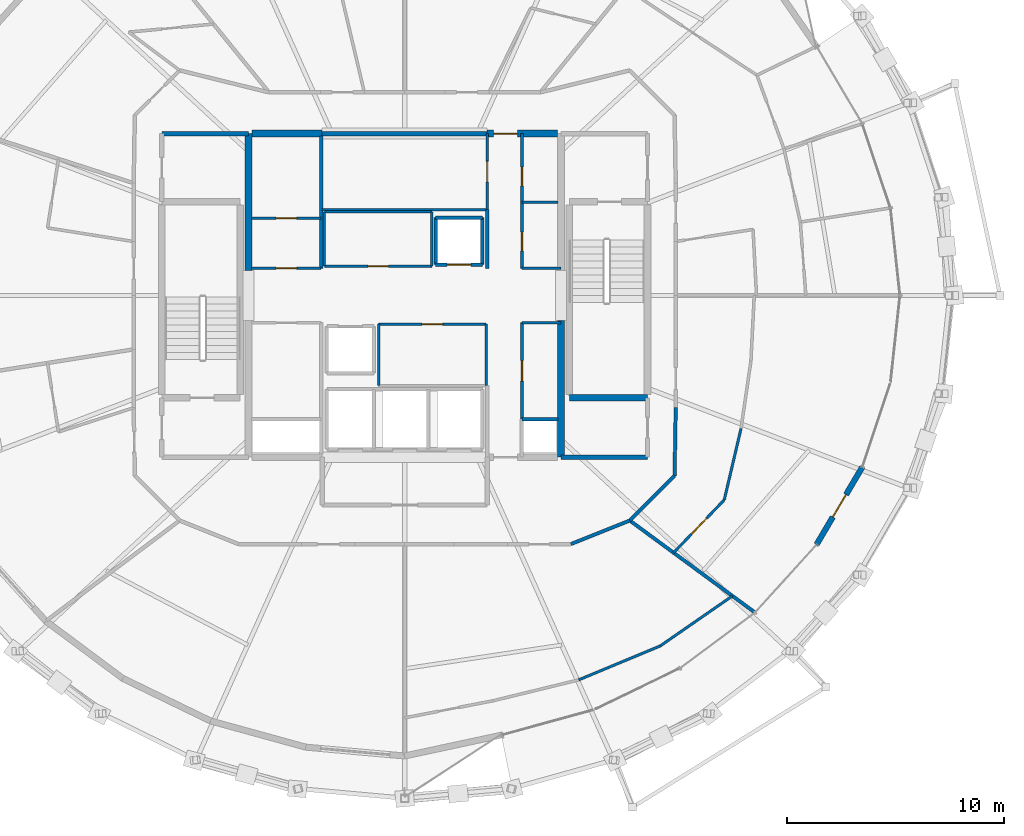
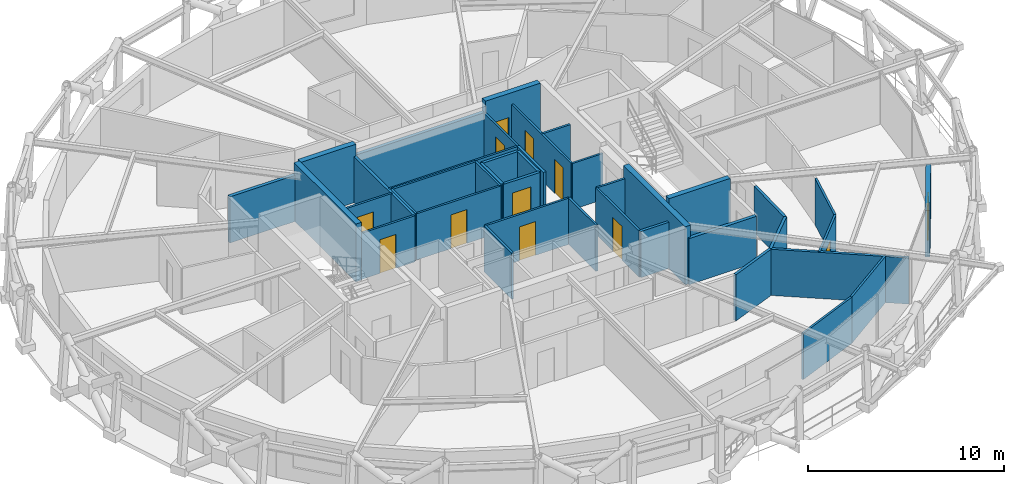
# One storey, part 15 of 18: 40 walls, 12 doors, 12 openings.
"""IFC4 building model written with IfcOpenShell, lengths in metres."""

from ifc_helpers import new_model, si_unit, direction, frame, frame_2d, origin, place, context, subcontext, project, spatial, rectangle, extrude, material, layer, layer_set, type_object, element, fill, save


model = new_model("IFC4")

# Units and contexts
model_context = context("Model", 3, precision=1e-05, world=origin(), true_north=direction((0.0, 1.0)))
body_context = subcontext(model_context, "Body", "Model", "MODEL_VIEW")
ifc_project = project(units=[si_unit("LENGTHUNIT", "METRE"), si_unit("AREAUNIT", "SQUARE_METRE"), si_unit("VOLUMEUNIT", "CUBIC_METRE"), si_unit("PLANEANGLEUNIT", "RADIAN"), si_unit("MASSUNIT", "GRAM", prefix="KILO")], contexts=[model_context])

# Site, building, storey
site_placement = place(None, origin())
site = spatial("IfcSite", under=ifc_project, at=site_placement, CompositionType="ELEMENT")
building_placement = place(site_placement, origin())
building = spatial("IfcBuilding", under=site, at=building_placement, Name="Veldorina Hangang Commons", CompositionType="ELEMENT")
storey_placement = place(building_placement, frame((0.0, 0.0, 218.39990234375)))
storey = spatial("IfcBuildingStorey", under=building, at=storey_placement, Name="L56", CompositionType="ELEMENT", Elevation=218.39990234375)

# Walls
ifc_material_1 = material(Name="Concrete C50/60", Category="concrete")
ifc_layer_1 = layer(ifc_material_1, 0.320068359375)
ifc_layer_set_1 = layer_set([ifc_layer_1], Name="Concrete C50/60")
wall_type_1 = type_object("IfcWallType", Name="CW-RC320-C50", PredefinedType="SHEAR", material=ifc_layer_set_1)
for number, where, z_axis, x_axis, name in (
    (1, (24.800048828125, 25.14990234375, 0.0), (0.0, 0.0, 1.0), (0.0, 1.0, 0.0), "L56 W north core shear wall"),
    (2, (39.199951171875, 16.550048828125, 0.0), (0.0, 0.0, 1.0), (0.0, 1.0, 0.0), "L56 E south core shear wall"),
):
    element("IfcWall", number, at=place(storey_placement, frame(where, z_axis=z_axis, x_axis=x_axis)), inside=storey, type_object=wall_type_1, Name=name, PredefinedType="SHEAR", context=body_context, shape_type="SweptSolid", body=[
        extrude(rectangle(XDim=6.300048828125, YDim=0.320068359375, at=frame_2d((3.14990234375, 0.0))), origin(), (0.0, 0.0, 1.0), 3.60009765625),
    ])
wall_1_placement = place(storey_placement, frame((24.9599609375, 31.449951171875, 0.0), z_axis=(0.0, 0.0, 1.0), x_axis=(1.0, 0.0, 0.0)))
element("IfcWall", 3, at=wall_1_placement, inside=storey, type_object=wall_type_1, Name="L56 north-west core shear wall", PredefinedType="SHEAR", context=body_context, shape_type="SweptSolid", body=[
    extrude(rectangle(XDim=3.239990234375, YDim=0.320068359375, at=frame_2d((1.6201171875, 0.0))), origin(), (0.0, 0.0, 1.0), 3.60009765625),
])

# Wall, opening, door
wall_2_placement = place(storey_placement, frame((35.800048828125, 31.449951171875, 0.0), z_axis=(0.0, 0.0, 1.0), x_axis=(1.0, 0.0, 0.0)))
wall_2 = element("IfcWall", 4, at=wall_2_placement, inside=storey, type_object=wall_type_1, Name="L56 north-east core shear wall", PredefinedType="SHEAR", context=body_context, shape_type="SweptSolid", body=[
    extrude(rectangle(XDim=3.239990234375, YDim=0.320068359375, at=frame_2d((1.6201171875, 0.0))), origin(), (0.0, 0.0, 1.0), 3.60009765625),
])
opening_1_placement = place(wall_2_placement, frame((0.300048828125, 0.0, 0.0)))
opening_1 = element("IfcOpeningElement", 5, at=opening_1_placement, cuts=wall_2, Name="Opening D-08", PredefinedType="OPENING", context=body_context, shape_type="SweptSolid", body=[
    extrude(rectangle(XDim=1.10009765625, YDim=2.10009765625, at=frame_2d((0.550048828125, 1.050048828125))), frame((0.0, 0.169921875, 0.0), z_axis=(0.0, -1.0, 0.0), x_axis=(1.0, 0.0, 0.0)), (0.0, 0.0, 1.0), 0.340087890625),
])
ifc_material_2 = material(Name="Steel Fire-Rated Smoke Seal", Category="steel")
door_type_1 = type_object("IfcDoorType", Name="DR-FIRE-1100", OperationType="SINGLE_SWING_RIGHT", PredefinedType="DOOR", material=ifc_material_2)
door_1_placement = place(opening_1_placement, origin())
door_1 = element("IfcDoor", 6, at=door_1_placement, inside=storey, type_object=door_type_1, Name="L56 central lift lobby north corridor door", OperationType="SINGLE_SWING_LEFT", OverallHeight=2.10009765625, OverallWidth=1.10009765625, PredefinedType="DOOR", context=body_context, shape_type="SweptSolid", body=[
    extrude(rectangle(XDim=1.10009765625, YDim=2.10009765625, at=frame_2d((0.550048828125, 1.050048828125))), frame((0.0, 0.02490234375, 0.0), z_axis=(0.0, -1.0, 0.0), x_axis=(1.0, 0.0, 0.0)), (0.0, 0.0, 1.0), 0.050048828125),
])
fill(opening_1, door_1)

ifc_material_3 = material(Name="Stone Roman Travertine", Category="masonry")
ifc_layer_2 = layer(ifc_material_3, 0.260009765625)
ifc_layer_set_2 = layer_set([ifc_layer_2], Name="Stone Roman Travertine")
wall_type_2 = type_object("IfcWallType", Name="EW-LOGGIA-260", PredefinedType="STANDARD", material=ifc_layer_set_2)
wall_3_placement = place(storey_placement, frame((50.964599609375, 12.529296875, 0.0), z_axis=(0.0, 0.0, 1.0), x_axis=(0.508481273456, 0.861073048321, 0.0)))
wall_3 = element("IfcWall", 7, at=wall_3_placement, inside=storey, type_object=wall_type_2, Name="L56 sky-garden loggia portal wall 29", PredefinedType="STANDARD", context=body_context, shape_type="SweptSolid", body=[
    extrude(rectangle(XDim=4.1455078125, YDim=0.260009765625, at=frame_2d((2.07275390625, 0.0))), origin(), (0.0, 0.0, 1.0), 2.880126953125),
])
opening_2_placement = place(wall_3_placement, frame((1.47265625, 0.0, 0.0)))
opening_2 = element("IfcOpeningElement", 8, at=opening_2_placement, cuts=wall_3, Name="Opening BD-1200", PredefinedType="OPENING", context=body_context, shape_type="SweptSolid", body=[
    extrude(rectangle(XDim=1.199951171875, YDim=2.14990234375, at=frame_2d((0.60009765625, 1.074951171875))), frame((0.0, 0.14013671875, 0.0), z_axis=(0.0, -1.0, 0.0), x_axis=(1.0, 0.0, 0.0)), (0.0, 0.0, 1.0), 0.280029296875),
])
ifc_material_4 = material(Name="Glass Thermal Aluminium Frame", Category="aluminium")
door_type_2 = type_object("IfcDoorType", Name="DR-EXT-LOG1200", OperationType="SINGLE_SWING_LEFT", PredefinedType="DOOR", material=ifc_material_4)
door_2_placement = place(opening_2_placement, origin())
door_2 = element("IfcDoor", 9, at=door_2_placement, inside=storey, type_object=door_type_2, Name="L56 loggia glazed exterior door 29", OperationType="SINGLE_SWING_RIGHT", OverallHeight=2.14990234375, OverallWidth=1.199951171875, PredefinedType="DOOR", context=body_context, shape_type="SweptSolid", body=[
    extrude(rectangle(XDim=1.199951171875, YDim=2.14990234375, at=frame_2d((0.60009765625, 1.074951171875))), frame((0.0, 0.02490234375, 0.0), z_axis=(0.0, -1.0, 0.0), x_axis=(1.0, 0.0, 0.0)), (0.0, 0.0, 1.0), 0.050048828125),
])
fill(opening_2, door_2)

# Walls
ifc_layer_3 = layer(ifc_material_1, 0.300048828125)
ifc_layer_set_3 = layer_set([ifc_layer_3], Name="Concrete C50/60")
wall_type_3 = type_object("IfcWallType", Name="SW-STAIR-300", PredefinedType="SHEAR", material=ifc_layer_set_3)
wall_4_placement = place(storey_placement, frame((39.580078125, 19.280029296875, 0.0), z_axis=(0.0, 0.0, 1.0), x_axis=(1.0, 0.0, 0.0)))
element("IfcWall", 10, at=wall_4_placement, inside=storey, type_object=wall_type_3, Name="L56 ST2 south stair shear wall", PredefinedType="SHEAR", context=body_context, shape_type="SweptSolid", body=[
    extrude(rectangle(XDim=3.599853515625, YDim=0.300048828125, at=frame_2d((1.7998046875, 0.0))), origin(), (0.0, 0.0, 1.0), 3.60009765625),
])
ifc_material_5 = material(Name="Gypsum Fire-Rated Twin Stud Wall", Category="gypsum")
ifc_layer_4 = layer(ifc_material_5, 0.159912109375)
ifc_layer_set_4 = layer_set([ifc_layer_4], Name="Gypsum Fire-Rated Twin Stud Wall")
wall_type_4 = type_object("IfcWallType", Name="WL-FIRE-160", PredefinedType="SOLIDWALL", material=ifc_layer_set_4)
wall_5_placement = place(storey_placement, frame((35.800048828125, 25.25, 0.0), z_axis=(0.0, 0.0, 1.0), x_axis=(0.0, 1.0, 0.0)))
element("IfcWall", 11, at=wall_5_placement, inside=storey, type_object=wall_type_4, Name="L56 Lift passage NW lower wall 011", PredefinedType="SOLIDWALL", context=body_context, shape_type="SweptSolid", body=[
    extrude(rectangle(XDim=2.699951171875, YDim=0.159912109375, at=frame_2d((1.35009765625, 0.0))), origin(), (0.0, 0.0, 1.0), 2.8701171875),
])

# Wall, opening, door
wall_6_placement = place(storey_placement, frame((33.419921875, 25.419921875, 0.0), z_axis=(0.0, 0.0, 1.0), x_axis=(1.0, 0.0, 0.0)))
wall_6 = element("IfcWall", 12, at=wall_6_placement, inside=storey, type_object=wall_type_4, Name="L56 Mid-high front shaft wall 015", PredefinedType="SOLIDWALL", context=body_context, shape_type="SweptSolid", body=[
    extrude(rectangle(XDim=2.16015625, YDim=0.159912109375, at=frame_2d((1.080078125, 0.0))), origin(), (0.0, 0.0, 1.0), 2.8701171875),
])
opening_3_placement = place(wall_6_placement, frame((0.530029296875, 0.0, 0.0)))
opening_3 = element("IfcOpeningElement", 13, at=opening_3_placement, cuts=wall_6, Name="Opening LD-01", PredefinedType="OPENING", context=body_context, shape_type="SweptSolid", body=[
    extrude(rectangle(XDim=1.10009765625, YDim=2.14990234375, at=frame_2d((0.550048828125, 1.074951171875))), frame((0.0, 0.08984375, 0.0), z_axis=(0.0, -1.0, 0.0), x_axis=(1.0, 0.0, 0.0)), (0.0, 0.0, 1.0), 0.179931640625),
])
ifc_material_6 = material(Name="Stainless Steel Brushed Lift Door", Category="steel")
door_type_3 = type_object("IfcDoorType", Name="DR-LIFT-1100", OperationType="SLIDING_TO_LEFT", PredefinedType="DOOR", material=ifc_material_6)
door_3_placement = place(opening_3_placement, origin())
door_3 = element("IfcDoor", 14, at=door_3_placement, inside=storey, type_object=door_type_3, Name="L56 Lift PL-H1 landing door 006", OperationType="SLIDING_TO_RIGHT", OverallHeight=2.14990234375, OverallWidth=1.10009765625, PredefinedType="DOOR", context=body_context, shape_type="SweptSolid", body=[
    extrude(rectangle(XDim=1.10009765625, YDim=2.14990234375, at=frame_2d((0.550048828125, 1.074951171875))), frame((0.0, 0.02490234375, 0.0), z_axis=(0.0, -1.0, 0.0), x_axis=(1.0, 0.0, 0.0)), (0.0, 0.0, 1.0), 0.050048828125),
])
fill(opening_3, door_3)

# Walls
for number, where, z_axis, x_axis, name in (
    (15, (33.419921875, 27.580078125, 0.0), (0.0, 0.0, 1.0), (1.0, 0.0, 0.0), "L56 Mid-high rear shaft wall 016"),
    (16, (33.419921875, 25.419921875, 0.0), (0.0, 0.0, 1.0), (0.0, 1.0, 0.0), "L56 PL-H1 west shaft wall 017"),
    (17, (35.580078125, 25.419921875, 0.0), (0.0, 0.0, 1.0), (0.0, 1.0, 0.0), "L56 PL-H1 east shaft wall 018"),
):
    element("IfcWall", number, at=place(storey_placement, frame(where, z_axis=z_axis, x_axis=x_axis)), inside=storey, type_object=wall_type_4, Name=name, PredefinedType="SOLIDWALL", context=body_context, shape_type="SweptSolid", body=[
        extrude(rectangle(XDim=2.16015625, YDim=0.159912109375, at=frame_2d((1.080078125, 0.0))), origin(), (0.0, 0.0, 1.0), 2.8701171875),
    ])
wall_7_placement = place(storey_placement, frame((37.39990234375, 18.300048828125, 0.0), z_axis=(0.0, 0.0, 1.0), x_axis=(1.0, 0.0, 0.0)))
element("IfcWall", 18, at=wall_7_placement, inside=storey, type_object=wall_type_4, Name="L56 Plumbing riser wall 042", PredefinedType="SOLIDWALL", context=body_context, shape_type="SweptSolid", body=[
    extrude(rectangle(XDim=1.650146484375, YDim=0.159912109375, at=frame_2d((0.8251953125, 0.0))), origin(), (0.0, 0.0, 1.0), 2.8701171875),
])
wall_8_placement = place(storey_placement, frame((28.14990234375, 25.25, 0.0), z_axis=(0.0, 0.0, 1.0), x_axis=(0.0, 1.0, 0.0)))
element("IfcWall", 19, at=wall_8_placement, inside=storey, type_object=wall_type_4, Name="L56 NW core inner wall 043", PredefinedType="SOLIDWALL", context=body_context, shape_type="SweptSolid", body=[
    extrude(rectangle(XDim=6.10009765625, YDim=0.159912109375, at=frame_2d((3.050048828125, 0.0))), origin(), (0.0, 0.0, 1.0), 2.8701171875),
])
wall_9_placement = place(storey_placement, frame((39.650634765625, 12.550048828125, 0.0), z_axis=(0.0, 0.0, 1.0), x_axis=(0.92856882165, 0.371160266542, 0.0)))
element("IfcWall", 20, at=wall_9_placement, inside=storey, type_object=wall_type_4, Name="L56 Compact collar outer wall 27 079", PredefinedType="SOLIDWALL", context=body_context, shape_type="SweptSolid", body=[
    extrude(rectangle(XDim=2.923095703125, YDim=0.159912109375, at=frame_2d((1.46142578125, 0.0))), origin(), (0.0, 0.0, 1.0), 2.8701171875),
])
wall_10_placement = place(storey_placement, frame((42.364990234375, 13.635009765625, 0.0), z_axis=(0.0, 0.0, 1.0), x_axis=(0.707106781187, 0.707106781187, 0.0)))
element("IfcWall", 21, at=wall_10_placement, inside=storey, type_object=wall_type_4, Name="L56 Compact collar outer wall 28 080", PredefinedType="SOLIDWALL", context=body_context, shape_type="SweptSolid", body=[
    extrude(rectangle(XDim=2.915771484375, YDim=0.159912109375, at=frame_2d((1.4580078125, 0.0))), origin(), (0.0, 0.0, 1.0), 2.8701171875),
])
wall_11_placement = place(storey_placement, frame((44.4267578125, 15.69677734375, 0.0), z_axis=(0.0, 0.0, 1.0), x_axis=(0.016981035134, 0.999855811828, 0.0)))
element("IfcWall", 22, at=wall_11_placement, inside=storey, type_object=wall_type_4, Name="L56 Compact collar outer wall 29 081", PredefinedType="SOLIDWALL", context=body_context, shape_type="SweptSolid", body=[
    extrude(rectangle(XDim=3.13427734375, YDim=0.159912109375, at=frame_2d((1.567138671875, 0.0))), origin(), (0.0, 0.0, 1.0), 2.8701171875),
])
wall_12_placement = place(storey_placement, frame((42.364990234375, 13.635009765625, 0.0), z_axis=(0.0, 0.0, 1.0), x_axis=(0.805864739579, -0.592099671933, 0.0)))
element("IfcWall", 23, at=wall_12_placement, inside=storey, type_object=wall_type_4, Name="L56 Unit party wall 28 084", PredefinedType="SOLIDWALL", context=body_context, shape_type="SweptSolid", body=[
    extrude(rectangle(XDim=7.1015625, YDim=0.159912109375, at=frame_2d((3.55078125, 0.0))), origin(), (0.0, 0.0, 1.0), 2.8701171875),
])
ifc_material_7 = material(Name="Concrete Blockwork Fire Wall C30/37", Category="masonry")
ifc_layer_5 = layer(ifc_material_7, 0.199951171875)
ifc_layer_set_5 = layer_set([ifc_layer_5], Name="Concrete Blockwork Fire Wall C30/37")
wall_type_5 = type_object("IfcWallType", Name="WL-FIRE-200", PredefinedType="SOLIDWALL", material=ifc_layer_set_5)
for number, where, z_axis, x_axis, name in (
    (24, (20.820068359375, 31.449951171875, 0.0), (0.0, 0.0, 1.0), (1.0, 0.0, 0.0), "L56 NW core room north wall 006"),
    (25, (39.199951171875, 16.550048828125, 0.0), (0.0, 0.0, 1.0), (1.0, 0.0, 0.0), "L56 SE core room south wall 008"),
):
    element("IfcWall", number, at=place(storey_placement, frame(where, z_axis=z_axis, x_axis=x_axis)), inside=storey, type_object=wall_type_5, Name=name, PredefinedType="SOLIDWALL", context=body_context, shape_type="SweptSolid", body=[
        extrude(rectangle(XDim=3.97998046875, YDim=0.199951171875, at=frame_2d((1.989990234375, 0.0))), origin(), (0.0, 0.0, 1.0), 2.8701171875),
    ])
wall_13_placement = place(storey_placement, frame((28.199951171875, 31.449951171875, 0.0), z_axis=(0.0, 0.0, 1.0), x_axis=(1.0, 0.0, 0.0)))
element("IfcWall", 26, at=wall_13_placement, inside=storey, type_object=wall_type_5, Name="L56 Merged north core wall 029", PredefinedType="SOLIDWALL", context=body_context, shape_type="SweptSolid", body=[
    extrude(rectangle(XDim=7.60009765625, YDim=0.199951171875, at=frame_2d((3.800048828125, 0.0))), origin(), (0.0, 0.0, 1.0), 2.8701171875),
])
ifc_material_8 = material(Name="Gypsum Acoustic Stud Partition", Category="gypsum")
ifc_layer_6 = layer(ifc_material_8, 0.1201171875)
ifc_layer_set_6 = layer_set([ifc_layer_6], Name="Gypsum Acoustic Stud Partition")
wall_type_6 = type_object("IfcWallType", Name="WL-PART-120", PredefinedType="PARTITIONING", material=ifc_layer_set_6)
wall_14_placement = place(storey_placement, frame((28.199951171875, 27.949951171875, 0.0), z_axis=(0.0, 0.0, 1.0), x_axis=(1.0, 0.0, 0.0)))
element("IfcWall", 27, at=wall_14_placement, inside=storey, type_object=wall_type_6, Name="L56 Merged north south wall 030", PredefinedType="PARTITIONING", context=body_context, shape_type="SweptSolid", body=[
    extrude(rectangle(XDim=7.60009765625, YDim=0.1201171875, at=frame_2d((3.800048828125, 0.0))), origin(), (0.0, 0.0, 1.0), 2.8701171875),
])

# Wall, opening, door
wall_15_placement = place(storey_placement, frame((35.800048828125, 27.949951171875, 0.0), z_axis=(0.0, 0.0, 1.0), x_axis=(0.0, 1.0, 0.0)))
wall_15 = element("IfcWall", 28, at=wall_15_placement, inside=storey, type_object=wall_type_6, Name="L56 Merged north east wall 031", PredefinedType="PARTITIONING", context=body_context, shape_type="SweptSolid", body=[
    extrude(rectangle(XDim=3.5, YDim=0.1201171875, at=frame_2d((1.75, 0.0))), origin(), (0.0, 0.0, 1.0), 2.8701171875),
])
opening_4_placement = place(wall_15_placement, frame((1.27490234375, 0.0, 0.0)))
opening_4 = element("IfcOpeningElement", 29, at=opening_4_placement, cuts=wall_15, Name="Opening D-02", PredefinedType="OPENING", context=body_context, shape_type="SweptSolid", body=[
    extrude(rectangle(XDim=0.949951171875, YDim=2.10009765625, at=frame_2d((0.47509765625, 1.050048828125))), frame((0.0, 0.070068359375, 0.0), z_axis=(0.0, -1.0, 0.0), x_axis=(1.0, 0.0, 0.0)), (0.0, 0.0, 1.0), 0.14013671875),
])
ifc_material_9 = material(Name="Timber Solid Core Acoustic", Category="wood")
door_type_4 = type_object("IfcDoorType", Name="DR-INT-950", OperationType="SINGLE_SWING_LEFT", PredefinedType="DOOR", material=ifc_material_9)
door_4_placement = place(opening_4_placement, origin())
door_4 = element("IfcDoor", 30, at=door_4_placement, inside=storey, type_object=door_type_4, Name="L56 Merged north room lobby door 011", OperationType="SINGLE_SWING_LEFT", OverallHeight=2.10009765625, OverallWidth=0.949951171875, PredefinedType="DOOR", context=body_context, shape_type="SweptSolid", body=[
    extrude(rectangle(XDim=0.949951171875, YDim=2.10009765625, at=frame_2d((0.47509765625, 1.050048828125))), frame((0.0, 0.02490234375, 0.0), z_axis=(0.0, -1.0, 0.0), x_axis=(1.0, 0.0, 0.0)), (0.0, 0.0, 1.0), 0.050048828125),
])
fill(opening_4, door_4)

wall_16_placement = place(storey_placement, frame((28.300048828125, 25.35009765625, 0.0), z_axis=(0.0, 0.0, 1.0), x_axis=(1.0, 0.0, 0.0)))
wall_16 = element("IfcWall", 31, at=wall_16_placement, inside=storey, type_object=wall_type_6, Name="L56 Merged mid-bank south wall 032", PredefinedType="PARTITIONING", context=body_context, shape_type="SweptSolid", body=[
    extrude(rectangle(XDim=4.949951171875, YDim=0.1201171875, at=frame_2d((2.47509765625, 0.0))), origin(), (0.0, 0.0, 1.0), 2.8701171875),
])
opening_5_placement = place(wall_16_placement, frame((2.0, 0.0, 0.0)))
opening_5 = element("IfcOpeningElement", 32, at=opening_5_placement, cuts=wall_16, Name="Opening D-02", PredefinedType="OPENING", context=body_context, shape_type="SweptSolid", body=[
    extrude(rectangle(XDim=0.949951171875, YDim=2.10009765625, at=frame_2d((0.47509765625, 1.050048828125))), frame((0.0, 0.070068359375, 0.0), z_axis=(0.0, -1.0, 0.0), x_axis=(1.0, 0.0, 0.0)), (0.0, 0.0, 1.0), 0.14013671875),
])
door_5_placement = place(opening_5_placement, origin())
door_5 = element("IfcDoor", 33, at=door_5_placement, inside=storey, type_object=door_type_4, Name="L56 Quiet study room door 012", OperationType="SINGLE_SWING_RIGHT", OverallHeight=2.10009765625, OverallWidth=0.949951171875, PredefinedType="DOOR", context=body_context, shape_type="SweptSolid", body=[
    extrude(rectangle(XDim=0.949951171875, YDim=2.10009765625, at=frame_2d((0.47509765625, 1.050048828125))), frame((0.0, 0.02490234375, 0.0), z_axis=(0.0, -1.0, 0.0), x_axis=(1.0, 0.0, 0.0)), (0.0, 0.0, 1.0), 0.050048828125),
])
fill(opening_5, door_5)

# Walls
wall_17_placement = place(storey_placement, frame((28.300048828125, 27.85009765625, 0.0), z_axis=(0.0, 0.0, 1.0), x_axis=(1.0, 0.0, 0.0)))
element("IfcWall", 34, at=wall_17_placement, inside=storey, type_object=wall_type_6, Name="L56 Merged mid-bank north wall 033", PredefinedType="PARTITIONING", context=body_context, shape_type="SweptSolid", body=[
    extrude(rectangle(XDim=4.949951171875, YDim=0.1201171875, at=frame_2d((2.47509765625, 0.0))), origin(), (0.0, 0.0, 1.0), 2.8701171875),
])
for number, where, z_axis, x_axis, name in (
    (35, (28.300048828125, 25.35009765625, 0.0), (0.0, 0.0, 1.0), (0.0, 1.0, 0.0), "L56 Merged mid-bank west wall 034"),
    (36, (33.25, 25.35009765625, 0.0), (0.0, 0.0, 1.0), (0.0, 1.0, 0.0), "L56 Merged mid-bank east wall 035"),
):
    element("IfcWall", number, at=place(storey_placement, frame(where, z_axis=z_axis, x_axis=x_axis)), inside=storey, type_object=wall_type_6, Name=name, PredefinedType="PARTITIONING", context=body_context, shape_type="SweptSolid", body=[
        extrude(rectangle(XDim=2.5, YDim=0.1201171875, at=frame_2d((1.25, 0.0))), origin(), (0.0, 0.0, 1.0), 2.8701171875),
    ])

# Wall, opening, door
wall_18_placement = place(storey_placement, frame((30.800048828125, 22.679931640625, 0.0), z_axis=(0.0, 0.0, 1.0), x_axis=(1.0, 0.0, 0.0)))
wall_18 = element("IfcWall", 37, at=wall_18_placement, inside=storey, type_object=wall_type_6, Name="L56 Merged shuttle north wall 036", PredefinedType="PARTITIONING", context=body_context, shape_type="SweptSolid", body=[
    extrude(rectangle(XDim=4.949951171875, YDim=0.1201171875, at=frame_2d((2.47509765625, 0.0))), origin(), (0.0, 0.0, 1.0), 2.8701171875),
])
opening_6_placement = place(wall_18_placement, frame((2.0, 0.0, 0.0)))
opening_6 = element("IfcOpeningElement", 38, at=opening_6_placement, cuts=wall_18, Name="Opening D-02", PredefinedType="OPENING", context=body_context, shape_type="SweptSolid", body=[
    extrude(rectangle(XDim=0.949951171875, YDim=2.10009765625, at=frame_2d((0.47509765625, 1.050048828125))), frame((0.0, 0.070068359375, 0.0), z_axis=(0.0, -1.0, 0.0), x_axis=(1.0, 0.0, 0.0)), (0.0, 0.0, 1.0), 0.14013671875),
])
door_6_placement = place(opening_6_placement, origin())
door_6 = element("IfcDoor", 39, at=door_6_placement, inside=storey, type_object=door_type_4, Name="L56 Floor tea pantry door 013", OperationType="SINGLE_SWING_LEFT", OverallHeight=2.10009765625, OverallWidth=0.949951171875, PredefinedType="DOOR", context=body_context, shape_type="SweptSolid", body=[
    extrude(rectangle(XDim=0.949951171875, YDim=2.10009765625, at=frame_2d((0.47509765625, 1.050048828125))), frame((0.0, 0.02490234375, 0.0), z_axis=(0.0, -1.0, 0.0), x_axis=(1.0, 0.0, 0.0)), (0.0, 0.0, 1.0), 0.050048828125),
])
fill(opening_6, door_6)

# Walls
for number, where, z_axis, x_axis, name in (
    (40, (30.800048828125, 19.85009765625, 0.0), (0.0, 0.0, 1.0), (0.0, 1.0, 0.0), "L56 Merged shuttle west wall 038"),
    (41, (35.75, 19.85009765625, 0.0), (0.0, 0.0, 1.0), (0.0, 1.0, 0.0), "L56 Merged shuttle east wall 039"),
):
    element("IfcWall", number, at=place(storey_placement, frame(where, z_axis=z_axis, x_axis=x_axis)), inside=storey, type_object=wall_type_6, Name=name, PredefinedType="PARTITIONING", context=body_context, shape_type="SweptSolid", body=[
        extrude(rectangle(XDim=2.829833984375, YDim=0.1201171875, at=frame_2d((1.4150390625, 0.0))), origin(), (0.0, 0.0, 1.0), 2.8701171875),
    ])

# Wall, opening, door
wall_19_placement = place(storey_placement, frame((24.949951171875, 25.25, 0.0), z_axis=(0.0, 0.0, 1.0), x_axis=(1.0, 0.0, 0.0)))
wall_19 = element("IfcWall", 42, at=wall_19_placement, inside=storey, type_object=wall_type_6, Name="L56 NW service south wall 044", PredefinedType="PARTITIONING", context=body_context, shape_type="SweptSolid", body=[
    extrude(rectangle(XDim=3.199951171875, YDim=0.1201171875, at=frame_2d((1.60009765625, 0.0))), origin(), (0.0, 0.0, 1.0), 2.8701171875),
])
opening_7_placement = place(wall_19_placement, frame((1.125, 0.0, 0.0)))
opening_7 = element("IfcOpeningElement", 43, at=opening_7_placement, cuts=wall_19, Name="Opening D-02", PredefinedType="OPENING", context=body_context, shape_type="SweptSolid", body=[
    extrude(rectangle(XDim=0.949951171875, YDim=2.10009765625, at=frame_2d((0.47509765625, 1.050048828125))), frame((0.0, 0.070068359375, 0.0), z_axis=(0.0, -1.0, 0.0), x_axis=(1.0, 0.0, 0.0)), (0.0, 0.0, 1.0), 0.14013671875),
])
door_7_placement = place(opening_7_placement, origin())
door_7 = element("IfcDoor", 44, at=door_7_placement, inside=storey, type_object=door_type_4, Name="L56 Housekeeping pantry door 014", OperationType="SINGLE_SWING_RIGHT", OverallHeight=2.10009765625, OverallWidth=0.949951171875, PredefinedType="DOOR", context=body_context, shape_type="SweptSolid", body=[
    extrude(rectangle(XDim=0.949951171875, YDim=2.10009765625, at=frame_2d((0.47509765625, 1.050048828125))), frame((0.0, 0.02490234375, 0.0), z_axis=(0.0, -1.0, 0.0), x_axis=(1.0, 0.0, 0.0)), (0.0, 0.0, 1.0), 0.050048828125),
])
fill(opening_7, door_7)

# Wall, openings, doors
wall_20_placement = place(storey_placement, frame((37.39990234375, 25.25, 0.0), z_axis=(0.0, 0.0, 1.0), x_axis=(0.0, 1.0, 0.0)))
wall_20 = element("IfcWall", 45, at=wall_20_placement, inside=storey, type_object=wall_type_6, Name="L56 NE strip lobby wall 046", PredefinedType="PARTITIONING", context=body_context, shape_type="SweptSolid", body=[
    extrude(rectangle(XDim=6.199951171875, YDim=0.1201171875, at=frame_2d((3.10009765625, 0.0))), origin(), (0.0, 0.0, 1.0), 2.8701171875),
])
opening_8_placement = place(wall_20_placement, frame((0.800048828125, 0.0, 0.0)))
opening_8 = element("IfcOpeningElement", 46, at=opening_8_placement, cuts=wall_20, Name="Opening D-01", PredefinedType="OPENING", context=body_context, shape_type="SweptSolid", body=[
    extrude(rectangle(XDim=0.860107421875, YDim=2.10009765625, at=frame_2d((0.43017578125, 1.050048828125))), frame((0.0, 0.070068359375, 0.0), z_axis=(0.0, -1.0, 0.0), x_axis=(1.0, 0.0, 0.0)), (0.0, 0.0, 1.0), 0.14013671875),
])
opening_9_placement = place(wall_20_placement, frame((3.800048828125, 0.0, 0.0)))
opening_9 = element("IfcOpeningElement", 47, at=opening_9_placement, cuts=wall_20, Name="Opening D-01", PredefinedType="OPENING", context=body_context, shape_type="SweptSolid", body=[
    extrude(rectangle(XDim=0.860107421875, YDim=2.10009765625, at=frame_2d((0.43017578125, 1.050048828125))), frame((0.0, 0.070068359375, 0.0), z_axis=(0.0, -1.0, 0.0), x_axis=(1.0, 0.0, 0.0)), (0.0, 0.0, 1.0), 0.14013671875),
])
ifc_material_10 = material(Name="Timber Moisture-Resistant Core", Category="wood")
door_type_5 = type_object("IfcDoorType", Name="DR-WET-860", OperationType="SINGLE_SWING_LEFT", PredefinedType="DOOR", material=ifc_material_10)
door_8_placement = place(opening_8_placement, origin())
door_8 = element("IfcDoor", 48, at=door_8_placement, inside=storey, type_object=door_type_5, Name="L56 Electrical closet door 017", OperationType="SINGLE_SWING_LEFT", OverallHeight=2.10009765625, OverallWidth=0.860107421875, PredefinedType="DOOR", context=body_context, shape_type="SweptSolid", body=[
    extrude(rectangle(XDim=0.860107421875, YDim=2.10009765625, at=frame_2d((0.43017578125, 1.050048828125))), frame((0.0, 0.02490234375, 0.0), z_axis=(0.0, -1.0, 0.0), x_axis=(1.0, 0.0, 0.0)), (0.0, 0.0, 1.0), 0.050048828125),
])
fill(opening_8, door_8)
door_9_placement = place(opening_9_placement, origin())
door_9 = element("IfcDoor", 49, at=door_9_placement, inside=storey, type_object=door_type_5, Name="L56 IT closet door 018", OperationType="SINGLE_SWING_RIGHT", OverallHeight=2.10009765625, OverallWidth=0.860107421875, PredefinedType="DOOR", context=body_context, shape_type="SweptSolid", body=[
    extrude(rectangle(XDim=0.860107421875, YDim=2.10009765625, at=frame_2d((0.43017578125, 1.050048828125))), frame((0.0, 0.02490234375, 0.0), z_axis=(0.0, -1.0, 0.0), x_axis=(1.0, 0.0, 0.0)), (0.0, 0.0, 1.0), 0.050048828125),
])
fill(opening_9, door_9)

# Wall
wall_21_placement = place(storey_placement, frame((37.39990234375, 25.25, 0.0), z_axis=(0.0, 0.0, 1.0), x_axis=(1.0, 0.0, 0.0)))
element("IfcWall", 50, at=wall_21_placement, inside=storey, type_object=wall_type_6, Name="L56 NE strip south return wall 047", PredefinedType="PARTITIONING", context=body_context, shape_type="SweptSolid", body=[
    extrude(rectangle(XDim=1.800048828125, YDim=0.1201171875, at=frame_2d((0.89990234375, 0.0))), origin(), (0.0, 0.0, 1.0), 2.8701171875),
])

# Wall, opening, door
wall_22_placement = place(storey_placement, frame((37.39990234375, 18.300048828125, 0.0), z_axis=(0.0, 0.0, 1.0), x_axis=(0.0, 1.0, 0.0)))
wall_22 = element("IfcWall", 51, at=wall_22_placement, inside=storey, type_object=wall_type_6, Name="L56 SE strip lobby wall 048", PredefinedType="PARTITIONING", context=body_context, shape_type="SweptSolid", body=[
    extrude(rectangle(XDim=4.449951171875, YDim=0.1201171875, at=frame_2d((2.22509765625, 0.0))), origin(), (0.0, 0.0, 1.0), 2.8701171875),
])
opening_10_placement = place(wall_22_placement, frame((1.75, 0.0, 0.0)))
opening_10 = element("IfcOpeningElement", 52, at=opening_10_placement, cuts=wall_22, Name="Opening D-02", PredefinedType="OPENING", context=body_context, shape_type="SweptSolid", body=[
    extrude(rectangle(XDim=0.949951171875, YDim=2.10009765625, at=frame_2d((0.47509765625, 1.050048828125))), frame((0.0, 0.070068359375, 0.0), z_axis=(0.0, -1.0, 0.0), x_axis=(1.0, 0.0, 0.0)), (0.0, 0.0, 1.0), 0.14013671875),
])
door_10_placement = place(opening_10_placement, origin())
door_10 = element("IfcDoor", 53, at=door_10_placement, inside=storey, type_object=door_type_4, Name="L56 Cleaners supply door 019", OperationType="SINGLE_SWING_LEFT", OverallHeight=2.10009765625, OverallWidth=0.949951171875, PredefinedType="DOOR", context=body_context, shape_type="SweptSolid", body=[
    extrude(rectangle(XDim=0.949951171875, YDim=2.10009765625, at=frame_2d((0.47509765625, 1.050048828125))), frame((0.0, 0.02490234375, 0.0), z_axis=(0.0, -1.0, 0.0), x_axis=(1.0, 0.0, 0.0)), (0.0, 0.0, 1.0), 0.050048828125),
])
fill(opening_10, door_10)

# Wall
wall_23_placement = place(storey_placement, frame((37.39990234375, 22.75, 0.0), z_axis=(0.0, 0.0, 1.0), x_axis=(1.0, 0.0, 0.0)))
element("IfcWall", 54, at=wall_23_placement, inside=storey, type_object=wall_type_6, Name="L56 SE strip north return wall 049", PredefinedType="PARTITIONING", context=body_context, shape_type="SweptSolid", body=[
    extrude(rectangle(XDim=1.800048828125, YDim=0.1201171875, at=frame_2d((0.89990234375, 0.0))), origin(), (0.0, 0.0, 1.0), 2.8701171875),
])

# Wall, opening, door
wall_24_placement = place(storey_placement, frame((24.949951171875, 27.550048828125, 0.0), z_axis=(0.0, 0.0, 1.0), x_axis=(1.0, 0.0, 0.0)))
wall_24 = element("IfcWall", 55, at=wall_24_placement, inside=storey, type_object=wall_type_6, Name="L56 NW mid wall 050", PredefinedType="PARTITIONING", context=body_context, shape_type="SweptSolid", body=[
    extrude(rectangle(XDim=3.199951171875, YDim=0.1201171875, at=frame_2d((1.60009765625, 0.0))), origin(), (0.0, 0.0, 1.0), 2.8701171875),
])
opening_11_placement = place(wall_24_placement, frame((1.125, 0.0, 0.0)))
opening_11 = element("IfcOpeningElement", 56, at=opening_11_placement, cuts=wall_24, Name="Opening D-02", PredefinedType="OPENING", context=body_context, shape_type="SweptSolid", body=[
    extrude(rectangle(XDim=0.949951171875, YDim=2.10009765625, at=frame_2d((0.47509765625, 1.050048828125))), frame((0.0, 0.070068359375, 0.0), z_axis=(0.0, -1.0, 0.0), x_axis=(1.0, 0.0, 0.0)), (0.0, 0.0, 1.0), 0.14013671875),
])
door_11_placement = place(opening_11_placement, origin())
door_11 = element("IfcDoor", 57, at=door_11_placement, inside=storey, type_object=door_type_4, Name="L56 Bedding store door 015", OperationType="SINGLE_SWING_LEFT", OverallHeight=2.10009765625, OverallWidth=0.949951171875, PredefinedType="DOOR", context=body_context, shape_type="SweptSolid", body=[
    extrude(rectangle(XDim=0.949951171875, YDim=2.10009765625, at=frame_2d((0.47509765625, 1.050048828125))), frame((0.0, 0.02490234375, 0.0), z_axis=(0.0, -1.0, 0.0), x_axis=(1.0, 0.0, 0.0)), (0.0, 0.0, 1.0), 0.050048828125),
])
fill(opening_11, door_11)

# Wall
wall_25_placement = place(storey_placement, frame((37.39990234375, 28.300048828125, 0.0), z_axis=(0.0, 0.0, 1.0), x_axis=(1.0, 0.0, 0.0)))
element("IfcWall", 58, at=wall_25_placement, inside=storey, type_object=wall_type_6, Name="L56 NE mid wall 051", PredefinedType="PARTITIONING", context=body_context, shape_type="SweptSolid", body=[
    extrude(rectangle(XDim=1.650146484375, YDim=0.1201171875, at=frame_2d((0.8251953125, 0.0))), origin(), (0.0, 0.0, 1.0), 2.8701171875),
])

# Wall, opening, door
wall_26_placement = place(storey_placement, frame((44.382080078125, 12.153076171875, 0.0), z_axis=(0.0, 0.0, 1.0), x_axis=(0.691814158677, 0.722075598435, 0.0)))
wall_26 = element("IfcWall", 59, at=wall_26_placement, inside=storey, type_object=wall_type_6, Name="L56 Lounge alcove split 0 085", PredefinedType="PARTITIONING", context=body_context, shape_type="SweptSolid", body=[
    extrude(rectangle(XDim=3.372314453125, YDim=0.1201171875, at=frame_2d((1.68603515625, 0.0))), origin(), (0.0, 0.0, 1.0), 2.8701171875),
])
opening_12_placement = place(wall_26_placement, frame((1.186279296875, 0.0, 0.0)))
opening_12 = element("IfcOpeningElement", 60, at=opening_12_placement, cuts=wall_26, Name="Opening D-05", PredefinedType="OPENING", context=body_context, shape_type="SweptSolid", body=[
    extrude(rectangle(XDim=1.0, YDim=2.10009765625, at=frame_2d((0.5, 1.050048828125))), frame((0.0, 0.070068359375, 0.0), z_axis=(0.0, -1.0, 0.0), x_axis=(1.0, 0.0, 0.0)), (0.0, 0.0, 1.0), 0.14013671875),
])
door_type_6 = type_object("IfcDoorType", Name="DR-INT-1000", OperationType="SINGLE_SWING_RIGHT", PredefinedType="DOOR", material=ifc_material_9)
door_12_placement = place(opening_12_placement, origin())
door_12 = element("IfcDoor", 61, at=door_12_placement, inside=storey, type_object=door_type_6, Name="L56 Commons lounge door 021", OperationType="SINGLE_SWING_LEFT", OverallHeight=2.10009765625, OverallWidth=1.0, PredefinedType="DOOR", context=body_context, shape_type="SweptSolid", body=[
    extrude(rectangle(XDim=1.0, YDim=2.10009765625, at=frame_2d((0.5, 1.050048828125))), frame((0.0, 0.02490234375, 0.0), z_axis=(0.0, -1.0, 0.0), x_axis=(1.0, 0.0, 0.0)), (0.0, 0.0, 1.0), 0.050048828125),
])
fill(opening_12, door_12)

# Walls
wall_27_placement = place(storey_placement, frame((46.715087890625, 14.588134765625, 0.0), z_axis=(0.0, 0.0, 1.0), x_axis=(0.228745067829, 0.97348636043, 0.0)))
element("IfcWall", 62, at=wall_27_placement, inside=storey, type_object=wall_type_6, Name="L56 Lounge alcove split 1 086", PredefinedType="PARTITIONING", context=body_context, shape_type="SweptSolid", body=[
    extrude(rectangle(XDim=3.3759765625, YDim=0.1201171875, at=frame_2d((1.68798828125, 0.0))), origin(), (0.0, 0.0, 1.0), 2.8701171875),
])
wall_28_placement = place(storey_placement, frame((40.010986328125, 6.29736328125, 0.0), z_axis=(0.0, 0.0, 1.0), x_axis=(0.923142576053, 0.384457779578, 0.0)))
element("IfcWall", 63, at=wall_28_placement, inside=storey, type_object=wall_type_6, Name="L56 Laundry split 2 118", PredefinedType="PARTITIONING", context=body_context, shape_type="SweptSolid", body=[
    extrude(rectangle(XDim=4.06982421875, YDim=0.1201171875, at=frame_2d((2.034912109375, 0.0))), origin(), (0.0, 0.0, 1.0), 2.8701171875),
])
wall_29_placement = place(storey_placement, frame((43.76806640625, 7.862060546875, 0.0), z_axis=(0.0, 0.0, 1.0), x_axis=(0.8221443461, 0.569279082854, 0.0)))
element("IfcWall", 64, at=wall_29_placement, inside=storey, type_object=wall_type_6, Name="L56 Laundry split 3 119", PredefinedType="PARTITIONING", context=body_context, shape_type="SweptSolid", body=[
    extrude(rectangle(XDim=4.04150390625, YDim=0.1201171875, at=frame_2d((2.020751953125, 0.0))), origin(), (0.0, 0.0, 1.0), 2.8701171875),
])

save(model, "model.ifc")
